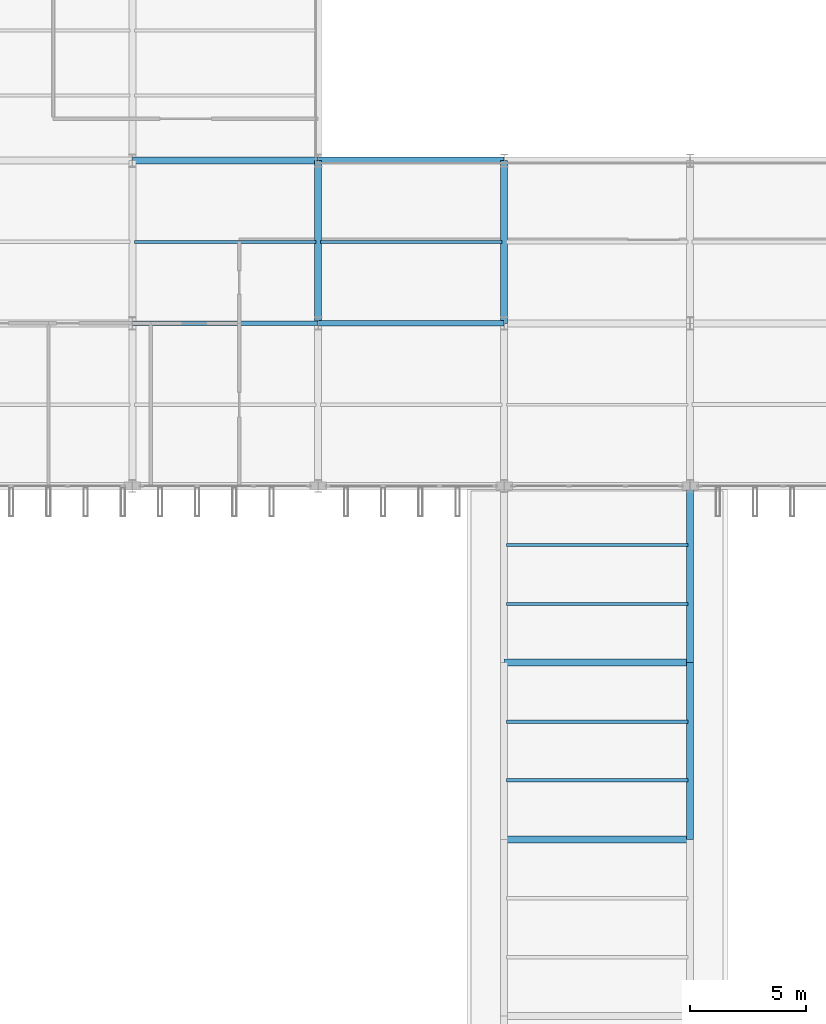
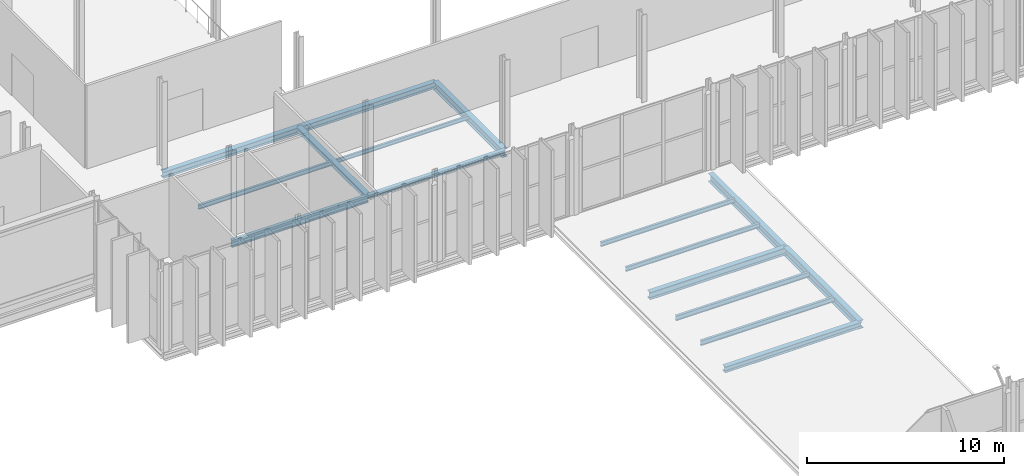
# One storey, part 39 of 147: 16 beams.
"""IFC4 building model written with IfcOpenShell, lengths in metres."""

import ifcopenshell
import ifcopenshell.guid

model = None  # the IFC model being written
_history = None  # IfcOwnerHistory: only IFC2X3 demands one
_inside = {}  # id of a spatial element -> (the spatial element, [elements in it])
_under = {}  # id of a project, library or spatial element -> (it, [spatial elements below it])
_declared = {}  # id of a project -> (the project, [libraries it declares])
_typed = {}  # id of a type object -> (the type object, [elements of that type])
_made_of = {}  # id of a material, layer set ... -> (it, [elements and type objects made of it])


def new_model(schema):
    """Start an empty IFC model of exactly this schema.

    Asked for "IFC4X3", IfcOpenShell would pick the latest addendum, in which some entities
    have other attributes; the version numbers below select the first issue.
    IFC2X3 requires an IfcOwnerHistory on every rooted entity: one is made here for all.
    """
    global model, _history
    if schema == "IFC4X3":
        model = ifcopenshell.file(schema_version=(4, 3, 0, 0))
    else:
        model = ifcopenshell.file(schema=schema)
    _inside.clear()
    _under.clear()
    _declared.clear()
    _typed.clear()
    _made_of.clear()
    _history = None
    if model.schema == "IFC2X3":
        org = make("IfcOrganization", Name="unknown")
        user = make(
            "IfcPersonAndOrganization",
            ThePerson=make("IfcPerson", FamilyName="unknown"),
            TheOrganization=org,
        )
        app = make(
            "IfcApplication",
            ApplicationDeveloper=org,
            Version="unknown",
            ApplicationFullName="unknown",
            ApplicationIdentifier="unknown",
        )
        _history = make(
            "IfcOwnerHistory",
            OwningUser=user,
            OwningApplication=app,
            ChangeAction="ADDED",
            CreationDate=0,
        )
    return model


def make(cls, **values):
    """One entity of the class cls with the attributes given. An attribute that is None is left unset."""
    return model.create_entity(
        cls, **{name: value for name, value in values.items() if value is not None}
    )


def rooted(cls, **values):
    """An entity with a GlobalId (a new one), such as an element, a storey or a relation."""
    return make(cls, GlobalId=ifcopenshell.guid.new(), OwnerHistory=_history, **values)


def si_unit(unit_type, name, prefix=None):
    """IfcSIUnit, for example si_unit("LENGTHUNIT", "METRE", prefix="MILLI")."""
    return make("IfcSIUnit", UnitType=unit_type, Prefix=prefix, Name=name)


def assignment(units):
    """IfcUnitAssignment: the units of a project."""
    return None if units is None else make("IfcUnitAssignment", Units=units)


def point(xyz):
    """IfcCartesianPoint."""
    return None if xyz is None else make("IfcCartesianPoint", Coordinates=xyz)


def direction(xyz):
    """IfcDirection."""
    return None if xyz is None else make("IfcDirection", DirectionRatios=xyz)


def frame(location, z_axis=None, x_axis=None):
    """IfcAxis2Placement3D, a coordinate frame: its origin and axes. An axis left out is left unset."""
    return make(
        "IfcAxis2Placement3D",
        Location=point(location),
        Axis=direction(z_axis),
        RefDirection=direction(x_axis),
    )


def frame_2d(location, x_axis=None):
    """IfcAxis2Placement2D, a coordinate frame in the plane: its origin and x axis."""
    return make(
        "IfcAxis2Placement2D", Location=point(location), RefDirection=direction(x_axis)
    )


def origin():
    """The frame at (0, 0, 0) with its axes left unset."""
    return frame((0.0, 0.0, 0.0))


def origin_2d():
    """The frame at (0, 0) in the plane with its x axis left unset."""
    return frame_2d((0.0, 0.0))


def place(relative_to, where):
    """IfcLocalPlacement: puts the frame where relative to a parent placement (None: the world)."""
    return make(
        "IfcLocalPlacement", PlacementRelTo=relative_to, RelativePlacement=where
    )


def context(
    kind, dimensions, precision=None, world=None, true_north=None, identifier=None
):
    """IfcGeometricRepresentationContext, for example the 3D "Model" context."""
    return make(
        "IfcGeometricRepresentationContext",
        ContextIdentifier=identifier,
        ContextType=kind,
        CoordinateSpaceDimension=dimensions,
        Precision=precision,
        WorldCoordinateSystem=world,
        TrueNorth=true_north,
    )


def subcontext(parent, identifier, kind, view, scale=None):
    """IfcGeometricRepresentationSubContext, for example "Body" below "Model"."""
    return make(
        "IfcGeometricRepresentationSubContext",
        ContextIdentifier=identifier,
        ContextType=kind,
        ParentContext=parent,
        TargetScale=scale,
        TargetView=view,
    )


def project(units=None, contexts=None):
    """IfcProject with its units and contexts."""
    return rooted(
        "IfcProject",
        Name="project",
        RepresentationContexts=contexts,
        UnitsInContext=assignment(units),
    )


def spatial(cls, under=None, at=None, **own):
    """A site, building, storey or space (cls), placed at a placement, below another one or the project."""
    s = rooted(cls, ObjectPlacement=at, **own)
    if under is not None:
        _under.setdefault(under.id(), (under, []))[1].append(s)
    return s


def profile(cls, at=None, kind="AREA", **sizes):
    """A parametric profile (cls). Its sizes go by their IFC names, for example OverallWidth=200.0."""
    return make(cls, ProfileType=kind, Position=at, **sizes)


def i_section(**sizes):
    """IfcIShapeProfileDef."""
    return profile("IfcIShapeProfileDef", **sizes)


def extrude(swept, where, along, depth):
    """IfcExtrudedAreaSolid: the profile swept, set in the frame where, extruded along a direction by depth."""
    return make(
        "IfcExtrudedAreaSolid",
        SweptArea=swept,
        Position=where,
        ExtrudedDirection=direction(along),
        Depth=depth,
    )


def shape(context_of_items, identifier, shape_type, items):
    """IfcShapeRepresentation: the items that make up one representation, for example the "Body"."""
    return make(
        "IfcShapeRepresentation",
        ContextOfItems=context_of_items,
        RepresentationIdentifier=identifier,
        RepresentationType=shape_type,
        Items=items,
    )


def material(Name=None, Category=None):
    """IfcMaterial."""
    return make("IfcMaterial", Name=Name, Category=Category)


def material_profile(
    of_material, cross_section, Name=None, Category=None, Priority=None
):
    """IfcMaterialProfile: a cross section and its material."""
    return make(
        "IfcMaterialProfile",
        Name=Name,
        Material=of_material,
        Profile=cross_section,
        Priority=Priority,
        Category=Category,
    )


def profile_set(profiles, Name=None, composite=None):
    """IfcMaterialProfileSet."""
    return make(
        "IfcMaterialProfileSet",
        Name=Name,
        MaterialProfiles=profiles,
        CompositeProfile=composite,
    )


def made_of(thing, what):
    """Note that an element or type object is made of a material, layer set ...; save() writes the relation."""
    if what is not None:
        _made_of.setdefault(what.id(), (what, []))[1].append(thing)
    return thing


def type_object(cls, material=None, **own):
    """A type object (cls), such as IfcWallType, which elements share."""
    return made_of(rooted(cls, **own), material)


def element(
    cls,
    number,
    at=None,
    inside=None,
    cuts=None,
    type_object=None,
    material=None,
    context=None,
    identifier="Body",
    shape_type=None,
    held_by="IfcProductDefinitionShape",
    body=None,
    shapes=None,
    **own,
):
    """One element of the class cls, such as IfcWall. Its Tag is "e" and its number.

    at: its placement. inside: the storey or other place that contains it. cuts: it is an
    opening in that element (IfcRelVoidsElement). A single representation is given by context,
    identifier, shape_type and body (its items); several are given by shapes. held_by: the class
    of the entity that holds the representations. save() writes the other relations.
    """
    e = rooted(cls, Tag="e%d" % number, ObjectPlacement=at, **own)
    if body is not None:
        shapes = [shape(context, identifier, shape_type, body)]
    if shapes is not None:
        e.Representation = make(held_by, Representations=shapes)
    if inside is not None:
        _inside.setdefault(inside.id(), (inside, []))[1].append(e)
    if cuts is not None:
        rooted(
            "IfcRelVoidsElement", RelatingBuildingElement=cuts, RelatedOpeningElement=e
        )
    if type_object is not None:
        _typed.setdefault(type_object.id(), (type_object, []))[1].append(e)
    return made_of(e, material)


def aggregate(whole, parts):
    """IfcRelAggregates: a whole, such as a stair, and the parts it consists of."""
    return rooted("IfcRelAggregates", RelatingObject=whole, RelatedObjects=parts)


def save(model, path):
    """Write the relations noted so far, then the file.

    IfcRelAggregates (storeys below a building ...), IfcRelContainedInSpatialStructure (elements
    in a storey), IfcRelDefinesByType, IfcRelAssociatesMaterial and IfcRelDeclares: one each for
    every whole, place, type object, material and project.
    """
    for whole, parts in _under.values():
        aggregate(whole, parts)
    for where, things in _inside.values():
        rooted(
            "IfcRelContainedInSpatialStructure",
            RelatedElements=things,
            RelatingStructure=where,
        )
    for kind, things in _typed.values():
        rooted("IfcRelDefinesByType", RelatedObjects=things, RelatingType=kind)
    for what, things in _made_of.values():
        rooted("IfcRelAssociatesMaterial", RelatedObjects=things, RelatingMaterial=what)
    for by, libraries in _declared.values():
        rooted("IfcRelDeclares", RelatingContext=by, RelatedDefinitions=libraries)
    model.write(path)


model = new_model("IFC4")

# Units and contexts
model_context = context("Model", 3, precision=1e-05, world=origin(), true_north=direction((0.0, 1.0)))
body_context = subcontext(model_context, "Body", "Model", "MODEL_VIEW")
ifc_project = project(units=[si_unit("LENGTHUNIT", "METRE"), si_unit("AREAUNIT", "SQUARE_METRE"), si_unit("VOLUMEUNIT", "CUBIC_METRE"), si_unit("PLANEANGLEUNIT", "RADIAN"), si_unit("MASSUNIT", "GRAM", prefix="KILO")], contexts=[model_context])

# Site, building, storey
site_placement = place(None, origin())
site = spatial("IfcSite", under=ifc_project, at=site_placement, CompositionType="ELEMENT")
building_placement = place(site_placement, origin())
building = spatial("IfcBuilding", under=site, at=building_placement, Name="Vekula Escarpment Museum", CompositionType="ELEMENT")
storey_placement = place(building_placement, frame((0.0, 0.0, 7.800048828125)))
storey = spatial("IfcBuildingStorey", under=building, at=storey_placement, Name="L02", CompositionType="ELEMENT", Elevation=7.800048828125)

# Beams
ifc_material_1 = material(Name="Steel S355", Category="steel")
ifc_material_profile_1 = material_profile(ifc_material_1, i_section(OverallWidth=0.300048828125, OverallDepth=0.360107421875, WebThickness=0.012451171875, FlangeThickness=0.0224609375, FilletRadius=0.027099609375, at=origin_2d()), Name="HEB 360")
ifc_profile_set_1 = profile_set([ifc_material_profile_1], Name="Steel S355")
beam_type_1 = type_object("IfcBeamType", Name="BM-GIRD-HEB360", PredefinedType="BEAM", material=ifc_profile_set_1)
beam_1_placement = place(storey_placement, frame((94.0, 30.39990234375, -0.380126953125), z_axis=(1.0, 0.0, 0.0), x_axis=(0.0, 1.0, 0.0)))
element("IfcBeam", 1, at=beam_1_placement, inside=storey, type_object=beam_type_1, Name="Beam X L02 0836", PredefinedType="BEAM", context=body_context, shape_type="SweptSolid", body=[
    extrude(i_section(OverallWidth=0.300048828125, OverallDepth=0.360107421875, WebThickness=0.012451171875, FlangeThickness=0.0224609375, FilletRadius=0.027099609375, at=origin_2d()), origin(), (0.0, 0.0, 1.0), 8.0),
])
ifc_material_2 = material(Name="Steel S355", Category="steel")
ifc_material_profile_2 = material_profile(ifc_material_2, i_section(OverallWidth=0.300048828125, OverallDepth=0.449951171875, WebThickness=0.013916015625, FlangeThickness=0.02587890625, FilletRadius=0.027099609375, at=origin_2d()), Name="HEB 450")
ifc_profile_set_2 = profile_set([ifc_material_profile_2], Name="Steel S355")
beam_type_2 = type_object("IfcBeamType", Name="BM-GIRD-HEB450", PredefinedType="BEAM", material=ifc_profile_set_2)
beam_2_placement = place(storey_placement, frame((94.0, 38.0, -0.425048828125), z_axis=(1.0, 0.0, 0.0), x_axis=(0.0, 1.0, 0.0)))
element("IfcBeam", 2, at=beam_2_placement, inside=storey, type_object=beam_type_2, Name="Beam X L02 0840", PredefinedType="BEAM", context=body_context, shape_type="SweptSolid", body=[
    extrude(i_section(OverallWidth=0.300048828125, OverallDepth=0.449951171875, WebThickness=0.013916015625, FlangeThickness=0.02587890625, FilletRadius=0.027099609375, at=origin_2d()), origin(), (0.0, 0.0, 1.0), 8.0),
])
ifc_material_3 = material(Name="Steel S355", Category="steel")
ifc_material_profile_3 = material_profile(ifc_material_3, i_section(OverallWidth=0.300048828125, OverallDepth=0.5, WebThickness=0.014404296875, FlangeThickness=0.028076171875, FilletRadius=0.027099609375, at=origin_2d()), Name="HEB 500")
ifc_profile_set_3 = profile_set([ifc_material_profile_3], Name="Steel S355")
beam_type_3 = type_object("IfcBeamType", Name="BM-GIRD-HEB500", PredefinedType="BEAM", material=ifc_profile_set_3)
beam_3_placement = place(storey_placement, frame((94.0, 52.60009765625, -0.510009765625), z_axis=(0.0, 1.0, 0.0), x_axis=(-1.0, 0.0, 0.0)))
element("IfcBeam", 3, at=beam_3_placement, inside=storey, type_object=beam_type_3, Name="Beam Y L02 1159", PredefinedType="BEAM", context=body_context, shape_type="SweptSolid", body=[
    extrude(i_section(OverallWidth=0.300048828125, OverallDepth=0.5, WebThickness=0.014404296875, FlangeThickness=0.028076171875, FilletRadius=0.027099609375, at=origin_2d()), origin(), (0.0, 0.0, 1.0), 7.0),
])
for number, where, z_axis, x_axis, name in (
    (4, (102.0, 30.39990234375, -0.449951171875), (0.0, 1.0, 0.0), (-1.0, 0.0, 0.0), "Beam Y L02 1172"),
    (5, (102.0, 38.0, -0.510009765625), (0.0, 1.0, 0.0), (-1.0, 0.0, 0.0), "Beam Y L02 1173"),
):
    element("IfcBeam", number, at=place(storey_placement, frame(where, z_axis=z_axis, x_axis=x_axis)), inside=storey, type_object=beam_type_3, Name=name, PredefinedType="BEAM", context=body_context, shape_type="SweptSolid", body=[
        extrude(i_section(OverallWidth=0.300048828125, OverallDepth=0.5, WebThickness=0.014404296875, FlangeThickness=0.028076171875, FilletRadius=0.027099609375, at=origin_2d()), origin(), (0.0, 0.0, 1.0), 7.60009765625),
    ])
ifc_material_4 = material(Name="Steel S355", Category="steel")
ifc_material_profile_4 = material_profile(ifc_material_4, i_section(OverallWidth=0.18994140625, OverallDepth=0.449951171875, WebThickness=0.009521484375, FlangeThickness=0.0146484375, FilletRadius=0.02099609375, at=origin_2d()), Name="IPE 450")
ifc_profile_set_4 = profile_set([ifc_material_profile_4], Name="Steel S355")
beam_type_4 = type_object("IfcBeamType", Name="BM-GIRD-IPE450", PredefinedType="BEAM", material=ifc_profile_set_4)
beam_4_placement = place(storey_placement, frame((78.0, 52.60009765625, -0.485107421875), z_axis=(1.0, 0.0, 0.0), x_axis=(0.0, 1.0, 0.0)))
element("IfcBeam", 6, at=beam_4_placement, inside=storey, type_object=beam_type_4, Name="Beam X L02 0861", PredefinedType="BEAM", context=body_context, shape_type="SweptSolid", body=[
    extrude(i_section(OverallWidth=0.18994140625, OverallDepth=0.449951171875, WebThickness=0.009521484375, FlangeThickness=0.0146484375, FilletRadius=0.02099609375, at=origin_2d()), origin(), (0.0, 0.0, 1.0), 8.0),
])
ifc_material_5 = material(Name="Steel S355", Category="steel")
ifc_material_profile_5 = material_profile(ifc_material_5, i_section(OverallWidth=0.1201171875, OverallDepth=0.239990234375, WebThickness=0.006103515625, FlangeThickness=0.009765625, FilletRadius=0.014892578125, at=origin_2d()), Name="IPE 240")
ifc_profile_set_5 = profile_set([ifc_material_profile_5], Name="Steel S355")
beam_type_5 = type_object("IfcBeamType", Name="BM-JST-IPE240", PredefinedType="JOIST", material=ifc_profile_set_5)
beam_5_placement = place(storey_placement, frame((86.090087890625, 56.10009765625, -0.380126953125), z_axis=(1.0, 0.0, 0.0), x_axis=(0.0, 1.0, 0.0)))
element("IfcBeam", 7, at=beam_5_placement, inside=storey, type_object=beam_type_5, Name="Secondary Joist L02 0758", PredefinedType="JOIST", context=body_context, shape_type="SweptSolid", body=[
    extrude(i_section(OverallWidth=0.1201171875, OverallDepth=0.239990234375, WebThickness=0.006103515625, FlangeThickness=0.009765625, FilletRadius=0.014892578125, at=origin_2d()), origin(), (0.0, 0.0, 1.0), 7.81982421875),
])
ifc_material_6 = material(Name="Steel S355", Category="steel")
ifc_material_profile_6 = material_profile(ifc_material_6, i_section(OverallWidth=0.135009765625, OverallDepth=0.27001953125, WebThickness=0.006591796875, FlangeThickness=0.01025390625, FilletRadius=0.014892578125, at=origin_2d()), Name="IPE 270")
ifc_profile_set_6 = profile_set([ifc_material_profile_6], Name="Steel S355")
beam_type_6 = type_object("IfcBeamType", Name="BM-JST-IPE270", PredefinedType="JOIST", material=ifc_profile_set_6)
for number, where, z_axis, x_axis, name in (
    (8, (78.090087890625, 56.10009765625, -0.39501953125), (1.0, 0.0, 0.0), (0.0, 1.0, 0.0), "Secondary Joist L02 0744"),
    (9, (94.090087890625, 40.533203125, -0.39501953125), (1.0, 0.0, 0.0), (0.0, 1.0, 0.0), "Secondary Joist L02 0774"),
    (10, (94.090087890625, 43.066650390625, -0.39501953125), (1.0, 0.0, 0.0), (0.0, 1.0, 0.0), "Secondary Joist L02 0775"),
):
    element("IfcBeam", number, at=place(storey_placement, frame(where, z_axis=z_axis, x_axis=x_axis)), inside=storey, type_object=beam_type_6, Name=name, PredefinedType="JOIST", context=body_context, shape_type="SweptSolid", body=[
        extrude(i_section(OverallWidth=0.135009765625, OverallDepth=0.27001953125, WebThickness=0.006591796875, FlangeThickness=0.01025390625, FilletRadius=0.014892578125, at=origin_2d()), origin(), (0.0, 0.0, 1.0), 7.81982421875),
    ])
ifc_material_7 = material(Name="Steel S355", Category="steel")
ifc_material_profile_7 = material_profile(ifc_material_7, i_section(OverallWidth=0.14990234375, OverallDepth=0.300048828125, WebThickness=0.007080078125, FlangeThickness=0.0107421875, FilletRadius=0.014892578125, at=origin_2d()), Name="IPE 300")
ifc_profile_set_7 = profile_set([ifc_material_profile_7], Name="Steel S355")
beam_type_7 = type_object("IfcBeamType", Name="BM-JST-IPE300", PredefinedType="JOIST", material=ifc_profile_set_7)
for number, where, z_axis, x_axis, name in (
    (11, (94.090087890625, 32.933349609375, -0.35009765625), (1.0, 0.0, 0.0), (0.0, 1.0, 0.0), "Secondary Joist L02 0772"),
    (12, (94.090087890625, 35.466796875, -0.35009765625), (1.0, 0.0, 0.0), (0.0, 1.0, 0.0), "Secondary Joist L02 0773"),
):
    element("IfcBeam", number, at=place(storey_placement, frame(where, z_axis=z_axis, x_axis=x_axis)), inside=storey, type_object=beam_type_7, Name=name, PredefinedType="JOIST", context=body_context, shape_type="SweptSolid", body=[
        extrude(i_section(OverallWidth=0.14990234375, OverallDepth=0.300048828125, WebThickness=0.007080078125, FlangeThickness=0.0107421875, FilletRadius=0.014892578125, at=origin_2d()), origin(), (0.0, 0.0, 1.0), 7.81982421875),
    ])
ifc_material_8 = material(Name="Steel S355", Category="steel")
ifc_material_profile_8 = material_profile(ifc_material_8, i_section(OverallWidth=0.239990234375, OverallDepth=0.22998046875, WebThickness=0.007568359375, FlangeThickness=0.011962890625, FilletRadius=0.02099609375, at=origin_2d()), Name="HEA 240")
ifc_profile_set_8 = profile_set([ifc_material_profile_8], Name="Steel S355")
beam_type_8 = type_object("IfcBeamType", Name="BM-SPAN-HEA240", PredefinedType="SPANDREL", material=ifc_profile_set_8)
beam_6_placement = place(storey_placement, frame((86.0, 52.60009765625, -0.375), z_axis=(1.0, 0.0, 0.0), x_axis=(0.0, 1.0, 0.0)))
element("IfcBeam", 13, at=beam_6_placement, inside=storey, type_object=beam_type_8, Name="Beam X L02 0862", PredefinedType="SPANDREL", context=body_context, shape_type="SweptSolid", body=[
    extrude(i_section(OverallWidth=0.239990234375, OverallDepth=0.22998046875, WebThickness=0.007568359375, FlangeThickness=0.011962890625, FilletRadius=0.02099609375, at=origin_2d()), origin(), (0.0, 0.0, 1.0), 8.0),
])
ifc_material_9 = material(Name="Steel S355", Category="steel")
ifc_material_profile_9 = material_profile(ifc_material_9, i_section(OverallWidth=0.300048828125, OverallDepth=0.2900390625, WebThickness=0.008544921875, FlangeThickness=0.013916015625, FilletRadius=0.027099609375, at=origin_2d()), Name="HEA 300")
ifc_profile_set_9 = profile_set([ifc_material_profile_9], Name="Steel S355")
beam_type_9 = type_object("IfcBeamType", Name="BM-SPAN-HEA300", PredefinedType="SPANDREL", material=ifc_profile_set_9)
beam_7_placement = place(storey_placement, frame((86.0, 52.60009765625, -0.405029296875), z_axis=(0.0, 1.0, 0.0), x_axis=(-1.0, 0.0, 0.0)))
element("IfcBeam", 14, at=beam_7_placement, inside=storey, type_object=beam_type_9, Name="Beam Y L02 1145", PredefinedType="SPANDREL", context=body_context, shape_type="SweptSolid", body=[
    extrude(i_section(OverallWidth=0.300048828125, OverallDepth=0.2900390625, WebThickness=0.008544921875, FlangeThickness=0.013916015625, FilletRadius=0.027099609375, at=origin_2d()), origin(), (0.0, 0.0, 1.0), 7.0),
])
ifc_material_10 = material(Name="Steel S355", Category="steel")
ifc_material_profile_10 = material_profile(ifc_material_10, i_section(OverallWidth=0.300048828125, OverallDepth=0.389892578125, WebThickness=0.010986328125, FlangeThickness=0.01904296875, FilletRadius=0.027099609375, at=origin_2d()), Name="HEA 400")
ifc_profile_set_10 = profile_set([ifc_material_profile_10], Name="Steel S355")
beam_type_10 = type_object("IfcBeamType", Name="BM-SPAN-HEA400", PredefinedType="SPANDREL", material=ifc_profile_set_10)
for number, where, z_axis, x_axis, name in (
    (15, (78.0, 59.60009765625, -0.455078125), (1.0, 0.0, 0.0), (0.0, 1.0, 0.0), "Beam X L02 0879"),
    (16, (86.0, 59.60009765625, -0.455078125), (1.0, 0.0, 0.0), (0.0, 1.0, 0.0), "Beam X L02 0880"),
):
    element("IfcBeam", number, at=place(storey_placement, frame(where, z_axis=z_axis, x_axis=x_axis)), inside=storey, type_object=beam_type_10, Name=name, PredefinedType="SPANDREL", context=body_context, shape_type="SweptSolid", body=[
        extrude(i_section(OverallWidth=0.300048828125, OverallDepth=0.389892578125, WebThickness=0.010986328125, FlangeThickness=0.01904296875, FilletRadius=0.027099609375, at=origin_2d()), origin(), (0.0, 0.0, 1.0), 8.0),
    ])

save(model, "model.ifc")
